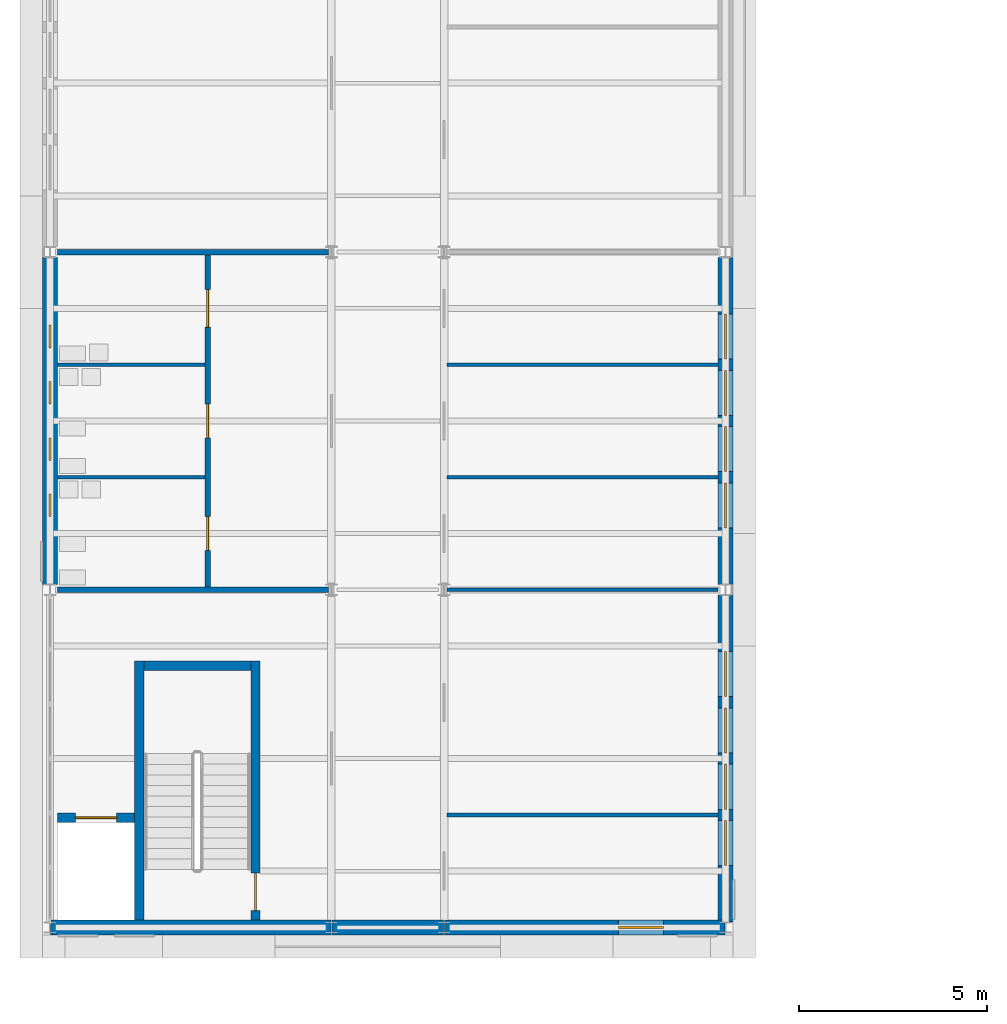
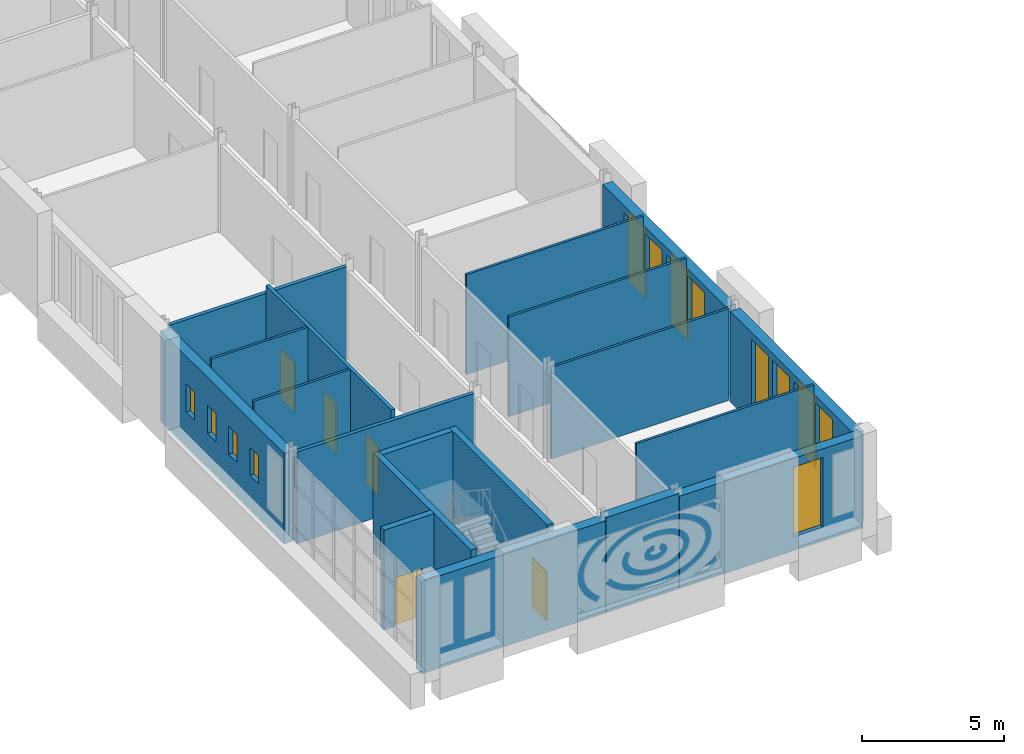
# One storey, part 71 of 131: 19 walls, 13 windows, 5 doors, 18 openings.
"""IFC4 building model written with IfcOpenShell, lengths in metres."""

import ifcopenshell
import ifcopenshell.guid

model = None  # the IFC model being written
_history = None  # IfcOwnerHistory: only IFC2X3 demands one
_inside = {}  # id of a spatial element -> (the spatial element, [elements in it])
_under = {}  # id of a project, library or spatial element -> (it, [spatial elements below it])
_declared = {}  # id of a project -> (the project, [libraries it declares])
_typed = {}  # id of a type object -> (the type object, [elements of that type])
_made_of = {}  # id of a material, layer set ... -> (it, [elements and type objects made of it])


def new_model(schema):
    """Start an empty IFC model of exactly this schema.

    Asked for "IFC4X3", IfcOpenShell would pick the latest addendum, in which some entities
    have other attributes; the version numbers below select the first issue.
    IFC2X3 requires an IfcOwnerHistory on every rooted entity: one is made here for all.
    """
    global model, _history
    if schema == "IFC4X3":
        model = ifcopenshell.file(schema_version=(4, 3, 0, 0))
    else:
        model = ifcopenshell.file(schema=schema)
    _inside.clear()
    _under.clear()
    _declared.clear()
    _typed.clear()
    _made_of.clear()
    _history = None
    if model.schema == "IFC2X3":
        org = make("IfcOrganization", Name="unknown")
        user = make(
            "IfcPersonAndOrganization",
            ThePerson=make("IfcPerson", FamilyName="unknown"),
            TheOrganization=org,
        )
        app = make(
            "IfcApplication",
            ApplicationDeveloper=org,
            Version="unknown",
            ApplicationFullName="unknown",
            ApplicationIdentifier="unknown",
        )
        _history = make(
            "IfcOwnerHistory",
            OwningUser=user,
            OwningApplication=app,
            ChangeAction="ADDED",
            CreationDate=0,
        )
    return model


def make(cls, **values):
    """One entity of the class cls with the attributes given. An attribute that is None is left unset."""
    return model.create_entity(
        cls, **{name: value for name, value in values.items() if value is not None}
    )


def rooted(cls, **values):
    """An entity with a GlobalId (a new one), such as an element, a storey or a relation."""
    return make(cls, GlobalId=ifcopenshell.guid.new(), OwnerHistory=_history, **values)


def si_unit(unit_type, name, prefix=None):
    """IfcSIUnit, for example si_unit("LENGTHUNIT", "METRE", prefix="MILLI")."""
    return make("IfcSIUnit", UnitType=unit_type, Prefix=prefix, Name=name)


def assignment(units):
    """IfcUnitAssignment: the units of a project."""
    return None if units is None else make("IfcUnitAssignment", Units=units)


def point(xyz):
    """IfcCartesianPoint."""
    return None if xyz is None else make("IfcCartesianPoint", Coordinates=xyz)


def direction(xyz):
    """IfcDirection."""
    return None if xyz is None else make("IfcDirection", DirectionRatios=xyz)


def frame(location, z_axis=None, x_axis=None):
    """IfcAxis2Placement3D, a coordinate frame: its origin and axes. An axis left out is left unset."""
    return make(
        "IfcAxis2Placement3D",
        Location=point(location),
        Axis=direction(z_axis),
        RefDirection=direction(x_axis),
    )


def frame_2d(location, x_axis=None):
    """IfcAxis2Placement2D, a coordinate frame in the plane: its origin and x axis."""
    return make(
        "IfcAxis2Placement2D", Location=point(location), RefDirection=direction(x_axis)
    )


def origin():
    """The frame at (0, 0, 0) with its axes left unset."""
    return frame((0.0, 0.0, 0.0))


def place(relative_to, where):
    """IfcLocalPlacement: puts the frame where relative to a parent placement (None: the world)."""
    return make(
        "IfcLocalPlacement", PlacementRelTo=relative_to, RelativePlacement=where
    )


def context(
    kind, dimensions, precision=None, world=None, true_north=None, identifier=None
):
    """IfcGeometricRepresentationContext, for example the 3D "Model" context."""
    return make(
        "IfcGeometricRepresentationContext",
        ContextIdentifier=identifier,
        ContextType=kind,
        CoordinateSpaceDimension=dimensions,
        Precision=precision,
        WorldCoordinateSystem=world,
        TrueNorth=true_north,
    )


def subcontext(parent, identifier, kind, view, scale=None):
    """IfcGeometricRepresentationSubContext, for example "Body" below "Model"."""
    return make(
        "IfcGeometricRepresentationSubContext",
        ContextIdentifier=identifier,
        ContextType=kind,
        ParentContext=parent,
        TargetScale=scale,
        TargetView=view,
    )


def project(units=None, contexts=None):
    """IfcProject with its units and contexts."""
    return rooted(
        "IfcProject",
        Name="project",
        RepresentationContexts=contexts,
        UnitsInContext=assignment(units),
    )


def spatial(cls, under=None, at=None, **own):
    """A site, building, storey or space (cls), placed at a placement, below another one or the project."""
    s = rooted(cls, ObjectPlacement=at, **own)
    if under is not None:
        _under.setdefault(under.id(), (under, []))[1].append(s)
    return s


def profile(cls, at=None, kind="AREA", **sizes):
    """A parametric profile (cls). Its sizes go by their IFC names, for example OverallWidth=200.0."""
    return make(cls, ProfileType=kind, Position=at, **sizes)


def rectangle(**sizes):
    """IfcRectangleProfileDef."""
    return profile("IfcRectangleProfileDef", **sizes)


def extrude(swept, where, along, depth):
    """IfcExtrudedAreaSolid: the profile swept, set in the frame where, extruded along a direction by depth."""
    return make(
        "IfcExtrudedAreaSolid",
        SweptArea=swept,
        Position=where,
        ExtrudedDirection=direction(along),
        Depth=depth,
    )


def shape(context_of_items, identifier, shape_type, items):
    """IfcShapeRepresentation: the items that make up one representation, for example the "Body"."""
    return make(
        "IfcShapeRepresentation",
        ContextOfItems=context_of_items,
        RepresentationIdentifier=identifier,
        RepresentationType=shape_type,
        Items=items,
    )


def material(Name=None, Category=None):
    """IfcMaterial."""
    return make("IfcMaterial", Name=Name, Category=Category)


def layer(
    of_material, thickness, ventilated=None, Name=None, Category=None, Priority=None
):
    """IfcMaterialLayer: one layer of a wall or slab, of a material (None: an air gap)."""
    return make(
        "IfcMaterialLayer",
        Material=of_material,
        LayerThickness=thickness,
        IsVentilated=ventilated,
        Name=Name,
        Category=Category,
        Priority=Priority,
    )


def layer_set(layers, Name=None):
    """IfcMaterialLayerSet."""
    return make("IfcMaterialLayerSet", MaterialLayers=layers, LayerSetName=Name)


def made_of(thing, what):
    """Note that an element or type object is made of a material, layer set ...; save() writes the relation."""
    if what is not None:
        _made_of.setdefault(what.id(), (what, []))[1].append(thing)
    return thing


def type_object(cls, material=None, **own):
    """A type object (cls), such as IfcWallType, which elements share."""
    return made_of(rooted(cls, **own), material)


def element(
    cls,
    number,
    at=None,
    inside=None,
    cuts=None,
    type_object=None,
    material=None,
    context=None,
    identifier="Body",
    shape_type=None,
    held_by="IfcProductDefinitionShape",
    body=None,
    shapes=None,
    **own,
):
    """One element of the class cls, such as IfcWall. Its Tag is "e" and its number.

    at: its placement. inside: the storey or other place that contains it. cuts: it is an
    opening in that element (IfcRelVoidsElement). A single representation is given by context,
    identifier, shape_type and body (its items); several are given by shapes. held_by: the class
    of the entity that holds the representations. save() writes the other relations.
    """
    e = rooted(cls, Tag="e%d" % number, ObjectPlacement=at, **own)
    if body is not None:
        shapes = [shape(context, identifier, shape_type, body)]
    if shapes is not None:
        e.Representation = make(held_by, Representations=shapes)
    if inside is not None:
        _inside.setdefault(inside.id(), (inside, []))[1].append(e)
    if cuts is not None:
        rooted(
            "IfcRelVoidsElement", RelatingBuildingElement=cuts, RelatedOpeningElement=e
        )
    if type_object is not None:
        _typed.setdefault(type_object.id(), (type_object, []))[1].append(e)
    return made_of(e, material)


def fill(opening, filler):
    """IfcRelFillsElement: the door or window that sits in an opening."""
    return rooted(
        "IfcRelFillsElement",
        RelatingOpeningElement=opening,
        RelatedBuildingElement=filler,
    )


def aggregate(whole, parts):
    """IfcRelAggregates: a whole, such as a stair, and the parts it consists of."""
    return rooted("IfcRelAggregates", RelatingObject=whole, RelatedObjects=parts)


def save(model, path):
    """Write the relations noted so far, then the file.

    IfcRelAggregates (storeys below a building ...), IfcRelContainedInSpatialStructure (elements
    in a storey), IfcRelDefinesByType, IfcRelAssociatesMaterial and IfcRelDeclares: one each for
    every whole, place, type object, material and project.
    """
    for whole, parts in _under.values():
        aggregate(whole, parts)
    for where, things in _inside.values():
        rooted(
            "IfcRelContainedInSpatialStructure",
            RelatedElements=things,
            RelatingStructure=where,
        )
    for kind, things in _typed.values():
        rooted("IfcRelDefinesByType", RelatedObjects=things, RelatingType=kind)
    for what, things in _made_of.values():
        rooted("IfcRelAssociatesMaterial", RelatedObjects=things, RelatingMaterial=what)
    for by, libraries in _declared.values():
        rooted("IfcRelDeclares", RelatingContext=by, RelatedDefinitions=libraries)
    model.write(path)


model = new_model("IFC4")

# Units and contexts
model_context = context("Model", 3, precision=1e-05, world=origin(), true_north=direction((0.0, 1.0)))
body_context = subcontext(model_context, "Body", "Model", "MODEL_VIEW")
ifc_project = project(units=[si_unit("LENGTHUNIT", "METRE"), si_unit("AREAUNIT", "SQUARE_METRE"), si_unit("VOLUMEUNIT", "CUBIC_METRE"), si_unit("PLANEANGLEUNIT", "RADIAN"), si_unit("MASSUNIT", "GRAM", prefix="KILO")], contexts=[model_context])

# Site, building, storey
site_placement = place(None, origin())
site = spatial("IfcSite", under=ifc_project, at=site_placement, CompositionType="ELEMENT")
building_placement = place(site_placement, origin())
building = spatial("IfcBuilding", under=site, at=building_placement, Name="Golden Quay Civic Hall", CompositionType="ELEMENT")
storey_placement = place(building_placement, frame((0.0, 0.0, 9.89990234375)))
storey = spatial("IfcBuildingStorey", under=building, at=storey_placement, Name="L02", CompositionType="ELEMENT", Elevation=9.89990234375)

# Wall
ifc_material_1 = material(Name="Concrete C40/50", Category="concrete")
ifc_layer_1 = layer(ifc_material_1, 0.25)
ifc_layer_set_1 = layer_set([ifc_layer_1], Name="Concrete core wall 250, Concrete C40/50")
wall_type_1 = type_object("IfcWallType", Name="Concrete core wall 250", PredefinedType="SHEAR", material=ifc_layer_set_1)
wall_1_placement = place(storey_placement, frame((2.375, -8.800048828125, 0.0), z_axis=(0.0, 0.0, 1.0), x_axis=(0.0, 1.0, 0.0)))
element("IfcWall", 1, at=wall_1_placement, inside=storey, type_object=wall_type_1, Name="Core wall WO-S-W1", PredefinedType="SHEAR", context=body_context, shape_type="SweptSolid", body=[
    extrude(rectangle(XDim=6.900146484375, YDim=0.25, at=frame_2d((3.4501953125, 0.0))), origin(), (0.0, 0.0, 1.0), 4.300048828125),
])

# Wall, opening, door
wall_2_placement = place(storey_placement, frame((5.47509765625, -8.800048828125, 0.0), z_axis=(0.0, 0.0, 1.0), x_axis=(0.0, 1.0, 0.0)))
wall_2 = element("IfcWall", 2, at=wall_2_placement, inside=storey, type_object=wall_type_1, Name="Core wall WO-S-W2", PredefinedType="SHEAR", context=body_context, shape_type="SweptSolid", body=[
    extrude(rectangle(XDim=6.900146484375, YDim=0.25, at=frame_2d((3.4501953125, 0.0))), origin(), (0.0, 0.0, 1.0), 4.300048828125),
])
opening_1_placement = place(wall_2_placement, frame((0.25, 0.0, 0.0)))
opening_1 = element("IfcOpeningElement", 3, at=opening_1_placement, cuts=wall_2, Name="Opening L02-D051", PredefinedType="OPENING", context=body_context, shape_type="SweptSolid", body=[
    extrude(rectangle(XDim=1.0, YDim=2.10009765625, at=frame_2d((0.5, 1.050048828125))), frame((0.0, 0.135009765625, 0.0), z_axis=(0.0, -1.0, 0.0), x_axis=(1.0, 0.0, 0.0)), (0.0, 0.0, 1.0), 0.27001953125),
])
ifc_material_2 = material(Name="Steel", Category="steel")
door_type_1 = type_object("IfcDoorType", Name="Steel fire door FD60 1000 x 2100", OperationType="SINGLE_SWING_LEFT", PredefinedType="DOOR", material=ifc_material_2)
door_1_placement = place(opening_1_placement, origin())
door_1 = element("IfcDoor", 4, at=door_1_placement, inside=storey, type_object=door_type_1, Name="Door L02-D051", OperationType="SINGLE_SWING_LEFT", OverallHeight=2.10009765625, OverallWidth=1.0, PredefinedType="DOOR", context=body_context, shape_type="SweptSolid", body=[
    extrude(rectangle(XDim=1.0, YDim=2.10009765625, at=frame_2d((0.5, 1.050048828125))), frame((0.0, 0.02490234375, 0.0), z_axis=(0.0, -1.0, 0.0), x_axis=(1.0, 0.0, 0.0)), (0.0, 0.0, 1.0), 0.050048828125),
])
fill(opening_1, door_1)

# Wall
wall_3_placement = place(storey_placement, frame((2.5, -2.02490234375, 0.0), z_axis=(0.0, 0.0, 1.0), x_axis=(1.0, 0.0, 0.0)))
element("IfcWall", 5, at=wall_3_placement, inside=storey, type_object=wall_type_1, Name="Core wall WO-S-W3", PredefinedType="SHEAR", context=body_context, shape_type="SweptSolid", body=[
    extrude(rectangle(XDim=2.85009765625, YDim=0.25, at=frame_2d((1.425048828125, 0.0))), origin(), (0.0, 0.0, 1.0), 4.300048828125),
])

# Wall, opening, door
wall_4_placement = place(storey_placement, frame((0.199951171875, -6.074951171875, 0.0), z_axis=(0.0, 0.0, 1.0), x_axis=(1.0, 0.0, 0.0)))
wall_4 = element("IfcWall", 6, at=wall_4_placement, inside=storey, type_object=wall_type_1, Name="Core wall WO-S-W4", PredefinedType="SHEAR", context=body_context, shape_type="SweptSolid", body=[
    extrude(rectangle(XDim=2.050048828125, YDim=0.25, at=frame_2d((1.02490234375, 0.0))), origin(), (0.0, 0.0, 1.0), 4.300048828125),
])
opening_2_placement = place(wall_4_placement, frame((0.47509765625, 0.0, 0.0)))
opening_2 = element("IfcOpeningElement", 7, at=opening_2_placement, cuts=wall_4, Name="Opening L02-D067", PredefinedType="OPENING", context=body_context, shape_type="SweptSolid", body=[
    extrude(rectangle(XDim=1.10009765625, YDim=2.10009765625, at=frame_2d((0.550048828125, 1.050048828125))), frame((0.0, 0.135009765625, 0.0), z_axis=(0.0, -1.0, 0.0), x_axis=(1.0, 0.0, 0.0)), (0.0, 0.0, 1.0), 0.27001953125),
])
ifc_material_3 = material(Name="Steel", Category="steel")
door_type_2 = type_object("IfcDoorType", Name="Lift landing door 1100 x 2100", OperationType="SLIDING_TO_LEFT", PredefinedType="DOOR", material=ifc_material_3)
door_2_placement = place(opening_2_placement, origin())
door_2 = element("IfcDoor", 8, at=door_2_placement, inside=storey, type_object=door_type_2, Name="Lift landing door L02-D067 WO-S", OperationType="SLIDING_TO_LEFT", OverallHeight=2.10009765625, OverallWidth=1.10009765625, PredefinedType="DOOR", context=body_context, shape_type="SweptSolid", body=[
    extrude(rectangle(XDim=1.10009765625, YDim=2.10009765625, at=frame_2d((0.550048828125, 1.050048828125))), frame((0.0, 0.02490234375, 0.0), z_axis=(0.0, -1.0, 0.0), x_axis=(1.0, 0.0, 0.0)), (0.0, 0.0, 1.0), 0.050048828125),
])
fill(opening_2, door_2)

# Walls
ifc_material_4 = material(Name="Plasterboard on steel studs", Category="steel")
ifc_layer_2 = layer(ifc_material_4, 0.10009765625)
ifc_layer_set_2 = layer_set([ifc_layer_2], Name="Partition 100 stud")
wall_type_2 = type_object("IfcWallType", Name="Partition 100 stud", PredefinedType="PARTITIONING", material=ifc_layer_set_2)
wall_5_placement = place(storey_placement, frame((10.574951171875, -6.0, 0.0), z_axis=(0.0, 0.0, 1.0), x_axis=(1.0, 0.0, 0.0)))
element("IfcWall", 9, at=wall_5_placement, inside=storey, type_object=wall_type_2, Name="Partition L02-008", PredefinedType="PARTITIONING", context=body_context, shape_type="SweptSolid", body=[
    extrude(rectangle(XDim=7.22509765625, YDim=0.10009765625, at=frame_2d((3.612548828125, 0.0))), origin(), (0.0, 0.0, 1.0), 4.300048828125),
])
wall_6_placement = place(storey_placement, frame((10.574951171875, 0.0, 0.0), z_axis=(0.0, 0.0, 1.0), x_axis=(1.0, 0.0, 0.0)))
element("IfcWall", 10, at=wall_6_placement, inside=storey, type_object=wall_type_2, Name="Partition L02-009", PredefinedType="PARTITIONING", context=body_context, shape_type="SweptSolid", body=[
    extrude(rectangle(XDim=7.22509765625, YDim=0.10009765625, at=frame_2d((3.612548828125, 0.0))), origin(), (0.0, 0.0, 1.0), 3.9501953125),
])
for number, where, z_axis, x_axis, name in (
    (11, (10.574951171875, 3.0, 0.0), (0.0, 0.0, 1.0), (1.0, 0.0, 0.0), "Partition L02-010"),
    (12, (10.574951171875, 6.0, 0.0), (0.0, 0.0, 1.0), (1.0, 0.0, 0.0), "Partition L02-011"),
):
    element("IfcWall", number, at=place(storey_placement, frame(where, z_axis=z_axis, x_axis=x_axis)), inside=storey, type_object=wall_type_2, Name=name, PredefinedType="PARTITIONING", context=body_context, shape_type="SweptSolid", body=[
        extrude(rectangle(XDim=7.22509765625, YDim=0.10009765625, at=frame_2d((3.612548828125, 0.0))), origin(), (0.0, 0.0, 1.0), 4.300048828125),
    ])
for number, where, z_axis, x_axis, name in (
    (13, (0.199951171875, 3.0, 0.0), (0.0, 0.0, 1.0), (1.0, 0.0, 0.0), "Partition L02-036"),
    (14, (0.199951171875, 6.0, 0.0), (0.0, 0.0, 1.0), (1.0, 0.0, 0.0), "Partition L02-037"),
):
    element("IfcWall", number, at=place(storey_placement, frame(where, z_axis=z_axis, x_axis=x_axis)), inside=storey, type_object=wall_type_2, Name=name, PredefinedType="PARTITIONING", context=body_context, shape_type="SweptSolid", body=[
        extrude(rectangle(XDim=3.925048828125, YDim=0.10009765625, at=frame_2d((1.96240234375, 0.0))), origin(), (0.0, 0.0, 1.0), 4.300048828125),
    ])
ifc_material_5 = material(Name="Plasterboard on steel studs", Category="steel")
ifc_layer_3 = layer(ifc_material_5, 0.14990234375)
ifc_layer_set_3 = layer_set([ifc_layer_3], Name="Partition 150 stud fire EI 60")
wall_type_3 = type_object("IfcWallType", Name="Partition 150 stud fire EI 60", PredefinedType="PARTITIONING", material=ifc_layer_set_3)
for number, where, z_axis, x_axis, name in (
    (15, (0.199951171875, 9.0, 0.0), (0.0, 0.0, 1.0), (1.0, 0.0, 0.0), "Partition L02-000"),
    (16, (0.199951171875, 0.0, 0.0), (0.0, 0.0, 1.0), (1.0, 0.0, 0.0), "Partition L02-025"),
):
    element("IfcWall", number, at=place(storey_placement, frame(where, z_axis=z_axis, x_axis=x_axis)), inside=storey, type_object=wall_type_3, Name=name, PredefinedType="PARTITIONING", context=body_context, shape_type="SweptSolid", body=[
        extrude(rectangle(XDim=7.22509765625, YDim=0.14990234375, at=frame_2d((3.612548828125, 0.0))), origin(), (0.0, 0.0, 1.0), 3.9501953125),
    ])

# Wall, openings, doors
wall_7_placement = place(storey_placement, frame((4.199951171875, 0.074951171875, 0.0), z_axis=(0.0, 0.0, 1.0), x_axis=(0.0, 1.0, 0.0)))
wall_7 = element("IfcWall", 17, at=wall_7_placement, inside=storey, type_object=wall_type_3, Name="Partition L02-035", PredefinedType="PARTITIONING", context=body_context, shape_type="SweptSolid", body=[
    extrude(rectangle(XDim=8.85009765625, YDim=0.14990234375, at=frame_2d((4.425048828125, 0.0))), origin(), (0.0, 0.0, 1.0), 4.300048828125),
])
opening_3_placement = place(wall_7_placement, frame((0.97509765625, 0.0, 0.0)))
opening_3 = element("IfcOpeningElement", 18, at=opening_3_placement, cuts=wall_7, Name="Opening L02-D048", PredefinedType="OPENING", context=body_context, shape_type="SweptSolid", body=[
    extrude(rectangle(XDim=0.89990234375, YDim=2.10009765625, at=frame_2d((0.449951171875, 1.050048828125))), frame((0.0, 0.0849609375, 0.0), z_axis=(0.0, -1.0, 0.0), x_axis=(1.0, 0.0, 0.0)), (0.0, 0.0, 1.0), 0.169921875),
])
opening_4_placement = place(wall_7_placement, frame((3.97509765625, 0.0, 0.0)))
opening_4 = element("IfcOpeningElement", 19, at=opening_4_placement, cuts=wall_7, Name="Opening L02-D049", PredefinedType="OPENING", context=body_context, shape_type="SweptSolid", body=[
    extrude(rectangle(XDim=0.89990234375, YDim=2.10009765625, at=frame_2d((0.449951171875, 1.050048828125))), frame((0.0, 0.0849609375, 0.0), z_axis=(0.0, -1.0, 0.0), x_axis=(1.0, 0.0, 0.0)), (0.0, 0.0, 1.0), 0.169921875),
])
opening_5_placement = place(wall_7_placement, frame((6.925048828125, 0.0, 0.0)))
opening_5 = element("IfcOpeningElement", 20, at=opening_5_placement, cuts=wall_7, Name="Opening L02-D050", PredefinedType="OPENING", context=body_context, shape_type="SweptSolid", body=[
    extrude(rectangle(XDim=1.0, YDim=2.10009765625, at=frame_2d((0.5, 1.050048828125))), frame((0.0, 0.0849609375, 0.0), z_axis=(0.0, -1.0, 0.0), x_axis=(1.0, 0.0, 0.0)), (0.0, 0.0, 1.0), 0.169921875),
])
ifc_material_6 = material(Name="Timber", Category="wood")
door_type_3 = type_object("IfcDoorType", Name="Timber door 1000 x 2100", OperationType="SINGLE_SWING_LEFT", PredefinedType="DOOR", material=ifc_material_6)
door_3_placement = place(opening_5_placement, origin())
door_3 = element("IfcDoor", 21, at=door_3_placement, inside=storey, type_object=door_type_3, Name="Door L02-D050", OperationType="SINGLE_SWING_LEFT", OverallHeight=2.10009765625, OverallWidth=1.0, PredefinedType="DOOR", context=body_context, shape_type="SweptSolid", body=[
    extrude(rectangle(XDim=1.0, YDim=2.10009765625, at=frame_2d((0.5, 1.050048828125))), frame((0.0, 0.02490234375, 0.0), z_axis=(0.0, -1.0, 0.0), x_axis=(1.0, 0.0, 0.0)), (0.0, 0.0, 1.0), 0.050048828125),
])
fill(opening_5, door_3)
ifc_material_7 = material(Name="Timber", Category="wood")
door_type_4 = type_object("IfcDoorType", Name="Timber door 900 x 2100", OperationType="SINGLE_SWING_LEFT", PredefinedType="DOOR", material=ifc_material_7)
door_4_placement = place(opening_3_placement, origin())
door_4 = element("IfcDoor", 22, at=door_4_placement, inside=storey, type_object=door_type_4, Name="Door L02-D048", OperationType="SINGLE_SWING_LEFT", OverallHeight=2.10009765625, OverallWidth=0.89990234375, PredefinedType="DOOR", context=body_context, shape_type="SweptSolid", body=[
    extrude(rectangle(XDim=0.89990234375, YDim=2.10009765625, at=frame_2d((0.449951171875, 1.050048828125))), frame((0.0, 0.02490234375, 0.0), z_axis=(0.0, -1.0, 0.0), x_axis=(1.0, 0.0, 0.0)), (0.0, 0.0, 1.0), 0.050048828125),
])
fill(opening_3, door_4)
door_5_placement = place(opening_4_placement, origin())
door_5 = element("IfcDoor", 23, at=door_5_placement, inside=storey, type_object=door_type_4, Name="Door L02-D049", OperationType="SINGLE_SWING_LEFT", OverallHeight=2.10009765625, OverallWidth=0.89990234375, PredefinedType="DOOR", context=body_context, shape_type="SweptSolid", body=[
    extrude(rectangle(XDim=0.89990234375, YDim=2.10009765625, at=frame_2d((0.449951171875, 1.050048828125))), frame((0.0, 0.02490234375, 0.0), z_axis=(0.0, -1.0, 0.0), x_axis=(1.0, 0.0, 0.0)), (0.0, 0.0, 1.0), 0.050048828125),
])
fill(opening_4, door_5)

# Wall, openings, windows
ifc_material_8 = material(Name="Clay block, rendered, cream")
ifc_layer_4 = layer(ifc_material_8, 0.39990234375)
ifc_layer_set_4 = layer_set([ifc_layer_4], Name="Rendered block external wall 400")
wall_type_4 = type_object("IfcWallType", Name="Rendered block external wall 400", PredefinedType="STANDARD", material=ifc_layer_set_4)
wall_8_placement = place(storey_placement, frame((0.0, 0.14501953125, 0.0), z_axis=(0.0, 0.0, 1.0), x_axis=(0.0, 1.0, 0.0)))
wall_8 = element("IfcWall", 24, at=wall_8_placement, inside=storey, type_object=wall_type_4, Name="Rendered block external wall 400 L02 1", PredefinedType="STANDARD", context=body_context, shape_type="SweptSolid", body=[
    extrude(rectangle(XDim=8.7099609375, YDim=0.39990234375, at=frame_2d((4.35498046875, 0.0))), origin(), (0.0, 0.0, 1.0), 3.900146484375),
])
opening_6_placement = place(wall_8_placement, frame((1.804931640625, 0.0, 1.5)))
opening_6 = element("IfcOpeningElement", 25, at=opening_6_placement, cuts=wall_8, Name="Opening WN1", PredefinedType="OPENING", context=body_context, shape_type="SweptSolid", body=[
    extrude(rectangle(XDim=0.60009765625, YDim=1.199951171875, at=frame_2d((0.300048828125, 0.60009765625))), frame((0.0, 0.2099609375, 0.0), z_axis=(0.0, -1.0, 0.0), x_axis=(1.0, 0.0, 0.0)), (0.0, 0.0, 1.0), 0.419921875),
])
opening_7_placement = place(wall_8_placement, frame((3.304931640625, 0.0, 1.5)))
opening_7 = element("IfcOpeningElement", 26, at=opening_7_placement, cuts=wall_8, Name="Opening WN1", PredefinedType="OPENING", context=body_context, shape_type="SweptSolid", body=[
    extrude(rectangle(XDim=0.60009765625, YDim=1.199951171875, at=frame_2d((0.300048828125, 0.60009765625))), frame((0.0, 0.2099609375, 0.0), z_axis=(0.0, -1.0, 0.0), x_axis=(1.0, 0.0, 0.0)), (0.0, 0.0, 1.0), 0.419921875),
])
opening_8_placement = place(wall_8_placement, frame((4.804931640625, 0.0, 1.5)))
opening_8 = element("IfcOpeningElement", 27, at=opening_8_placement, cuts=wall_8, Name="Opening WN1", PredefinedType="OPENING", context=body_context, shape_type="SweptSolid", body=[
    extrude(rectangle(XDim=0.60009765625, YDim=1.199951171875, at=frame_2d((0.300048828125, 0.60009765625))), frame((0.0, 0.2099609375, 0.0), z_axis=(0.0, -1.0, 0.0), x_axis=(1.0, 0.0, 0.0)), (0.0, 0.0, 1.0), 0.419921875),
])
opening_9_placement = place(wall_8_placement, frame((6.304931640625, 0.0, 1.5)))
opening_9 = element("IfcOpeningElement", 28, at=opening_9_placement, cuts=wall_8, Name="Opening WN1", PredefinedType="OPENING", context=body_context, shape_type="SweptSolid", body=[
    extrude(rectangle(XDim=0.60009765625, YDim=1.199951171875, at=frame_2d((0.300048828125, 0.60009765625))), frame((0.0, 0.2099609375, 0.0), z_axis=(0.0, -1.0, 0.0), x_axis=(1.0, 0.0, 0.0)), (0.0, 0.0, 1.0), 0.419921875),
])
ifc_material_9 = material(Name="Aluminium frame, double glazed", Category="aluminium")
window_type_1 = type_object("IfcWindowType", Name="WC window 600 x 1200", PartitioningType="SINGLE_PANEL", PredefinedType="WINDOW", material=ifc_material_9)
window_1_placement = place(opening_6_placement, origin())
window_1 = element("IfcWindow", 29, at=window_1_placement, inside=storey, type_object=window_type_1, Name="WC window 600 x 1200 L02 1", OverallHeight=1.199951171875, OverallWidth=0.60009765625, PartitioningType="SINGLE_PANEL", PredefinedType="WINDOW", context=body_context, shape_type="SweptSolid", body=[
    extrude(rectangle(XDim=0.60009765625, YDim=1.199951171875, at=frame_2d((0.300048828125, 0.60009765625))), frame((0.0, 0.030029296875, 0.0), z_axis=(0.0, -1.0, 0.0), x_axis=(1.0, 0.0, 0.0)), (0.0, 0.0, 1.0), 0.06005859375),
])
fill(opening_6, window_1)
window_2_placement = place(opening_7_placement, origin())
window_2 = element("IfcWindow", 30, at=window_2_placement, inside=storey, type_object=window_type_1, Name="WC window 600 x 1200 L02 2", OverallHeight=1.199951171875, OverallWidth=0.60009765625, PartitioningType="SINGLE_PANEL", PredefinedType="WINDOW", context=body_context, shape_type="SweptSolid", body=[
    extrude(rectangle(XDim=0.60009765625, YDim=1.199951171875, at=frame_2d((0.300048828125, 0.60009765625))), frame((0.0, 0.030029296875, 0.0), z_axis=(0.0, -1.0, 0.0), x_axis=(1.0, 0.0, 0.0)), (0.0, 0.0, 1.0), 0.06005859375),
])
fill(opening_7, window_2)
window_3_placement = place(opening_8_placement, origin())
window_3 = element("IfcWindow", 31, at=window_3_placement, inside=storey, type_object=window_type_1, Name="WC window 600 x 1200 L02 3", OverallHeight=1.199951171875, OverallWidth=0.60009765625, PartitioningType="SINGLE_PANEL", PredefinedType="WINDOW", context=body_context, shape_type="SweptSolid", body=[
    extrude(rectangle(XDim=0.60009765625, YDim=1.199951171875, at=frame_2d((0.300048828125, 0.60009765625))), frame((0.0, 0.030029296875, 0.0), z_axis=(0.0, -1.0, 0.0), x_axis=(1.0, 0.0, 0.0)), (0.0, 0.0, 1.0), 0.06005859375),
])
fill(opening_8, window_3)
window_4_placement = place(opening_9_placement, origin())
window_4 = element("IfcWindow", 32, at=window_4_placement, inside=storey, type_object=window_type_1, Name="WC window 600 x 1200 L02 4", OverallHeight=1.199951171875, OverallWidth=0.60009765625, PartitioningType="SINGLE_PANEL", PredefinedType="WINDOW", context=body_context, shape_type="SweptSolid", body=[
    extrude(rectangle(XDim=0.60009765625, YDim=1.199951171875, at=frame_2d((0.300048828125, 0.60009765625))), frame((0.0, 0.030029296875, 0.0), z_axis=(0.0, -1.0, 0.0), x_axis=(1.0, 0.0, 0.0)), (0.0, 0.0, 1.0), 0.06005859375),
])
fill(opening_9, window_4)

wall_9_placement = place(storey_placement, frame((18.0, -0.14501953125, 0.0), z_axis=(0.0, 0.0, 1.0), x_axis=(0.0, -1.0, 0.0)))
wall_9 = element("IfcWall", 33, at=wall_9_placement, inside=storey, type_object=wall_type_4, Name="Rendered block external wall 400 L02 12", PredefinedType="STANDARD", context=body_context, shape_type="SweptSolid", body=[
    extrude(rectangle(XDim=8.7099609375, YDim=0.39990234375, at=frame_2d((4.35498046875, 0.0))), origin(), (0.0, 0.0, 1.0), 3.900146484375),
])
opening_10_placement = place(wall_9_placement, frame((6.0048828125, 0.0, 0.60009765625)))
opening_10 = element("IfcOpeningElement", 34, at=opening_10_placement, cuts=wall_9, Name="Opening WN5", PredefinedType="OPENING", context=body_context, shape_type="SweptSolid", body=[
    extrude(rectangle(XDim=1.199951171875, YDim=3.0, at=frame_2d((0.60009765625, 1.5))), frame((0.0, 0.2099609375, 0.0), z_axis=(0.0, -1.0, 0.0), x_axis=(1.0, 0.0, 0.0)), (0.0, 0.0, 1.0), 0.419921875),
])
opening_11_placement = place(wall_9_placement, frame((4.5048828125, 0.0, 0.60009765625)))
opening_11 = element("IfcOpeningElement", 35, at=opening_11_placement, cuts=wall_9, Name="Opening WN5", PredefinedType="OPENING", context=body_context, shape_type="SweptSolid", body=[
    extrude(rectangle(XDim=1.199951171875, YDim=3.0, at=frame_2d((0.60009765625, 1.5))), frame((0.0, 0.2099609375, 0.0), z_axis=(0.0, -1.0, 0.0), x_axis=(1.0, 0.0, 0.0)), (0.0, 0.0, 1.0), 0.419921875),
])
opening_12_placement = place(wall_9_placement, frame((3.0048828125, 0.0, 0.60009765625)))
opening_12 = element("IfcOpeningElement", 36, at=opening_12_placement, cuts=wall_9, Name="Opening WN5", PredefinedType="OPENING", context=body_context, shape_type="SweptSolid", body=[
    extrude(rectangle(XDim=1.199951171875, YDim=3.0, at=frame_2d((0.60009765625, 1.5))), frame((0.0, 0.2099609375, 0.0), z_axis=(0.0, -1.0, 0.0), x_axis=(1.0, 0.0, 0.0)), (0.0, 0.0, 1.0), 0.419921875),
])
opening_13_placement = place(wall_9_placement, frame((1.5048828125, 0.0, 0.60009765625)))
opening_13 = element("IfcOpeningElement", 37, at=opening_13_placement, cuts=wall_9, Name="Opening WN5", PredefinedType="OPENING", context=body_context, shape_type="SweptSolid", body=[
    extrude(rectangle(XDim=1.199951171875, YDim=3.0, at=frame_2d((0.60009765625, 1.5))), frame((0.0, 0.2099609375, 0.0), z_axis=(0.0, -1.0, 0.0), x_axis=(1.0, 0.0, 0.0)), (0.0, 0.0, 1.0), 0.419921875),
])
ifc_material_10 = material(Name="Aluminium frame, double glazed", Category="aluminium")
window_type_2 = type_object("IfcWindowType", Name="Golden grid window 1200 x 3000", PartitioningType="SINGLE_PANEL", PredefinedType="WINDOW", material=ifc_material_10)
window_5_placement = place(opening_10_placement, origin())
window_5 = element("IfcWindow", 38, at=window_5_placement, inside=storey, type_object=window_type_2, Name="Golden grid window 1200 x 3000 L02 17", OverallHeight=3.0, OverallWidth=1.199951171875, PartitioningType="SINGLE_PANEL", PredefinedType="WINDOW", context=body_context, shape_type="SweptSolid", body=[
    extrude(rectangle(XDim=1.199951171875, YDim=3.0, at=frame_2d((0.60009765625, 1.5))), frame((0.0, 0.030029296875, 0.0), z_axis=(0.0, -1.0, 0.0), x_axis=(1.0, 0.0, 0.0)), (0.0, 0.0, 1.0), 0.06005859375),
])
fill(opening_10, window_5)
window_6_placement = place(opening_11_placement, origin())
window_6 = element("IfcWindow", 39, at=window_6_placement, inside=storey, type_object=window_type_2, Name="Golden grid window 1200 x 3000 L02 18", OverallHeight=3.0, OverallWidth=1.199951171875, PartitioningType="SINGLE_PANEL", PredefinedType="WINDOW", context=body_context, shape_type="SweptSolid", body=[
    extrude(rectangle(XDim=1.199951171875, YDim=3.0, at=frame_2d((0.60009765625, 1.5))), frame((0.0, 0.030029296875, 0.0), z_axis=(0.0, -1.0, 0.0), x_axis=(1.0, 0.0, 0.0)), (0.0, 0.0, 1.0), 0.06005859375),
])
fill(opening_11, window_6)
window_7_placement = place(opening_12_placement, origin())
window_7 = element("IfcWindow", 40, at=window_7_placement, inside=storey, type_object=window_type_2, Name="Golden grid window 1200 x 3000 L02 19", OverallHeight=3.0, OverallWidth=1.199951171875, PartitioningType="SINGLE_PANEL", PredefinedType="WINDOW", context=body_context, shape_type="SweptSolid", body=[
    extrude(rectangle(XDim=1.199951171875, YDim=3.0, at=frame_2d((0.60009765625, 1.5))), frame((0.0, 0.030029296875, 0.0), z_axis=(0.0, -1.0, 0.0), x_axis=(1.0, 0.0, 0.0)), (0.0, 0.0, 1.0), 0.06005859375),
])
fill(opening_12, window_7)
window_8_placement = place(opening_13_placement, origin())
window_8 = element("IfcWindow", 41, at=window_8_placement, inside=storey, type_object=window_type_2, Name="Golden grid window 1200 x 3000 L02 20", OverallHeight=3.0, OverallWidth=1.199951171875, PartitioningType="SINGLE_PANEL", PredefinedType="WINDOW", context=body_context, shape_type="SweptSolid", body=[
    extrude(rectangle(XDim=1.199951171875, YDim=3.0, at=frame_2d((0.60009765625, 1.5))), frame((0.0, 0.030029296875, 0.0), z_axis=(0.0, -1.0, 0.0), x_axis=(1.0, 0.0, 0.0)), (0.0, 0.0, 1.0), 0.06005859375),
])
fill(opening_13, window_8)

wall_10_placement = place(storey_placement, frame((18.0, 8.85498046875, 0.0), z_axis=(0.0, 0.0, 1.0), x_axis=(0.0, -1.0, 0.0)))
wall_10 = element("IfcWall", 42, at=wall_10_placement, inside=storey, type_object=wall_type_4, Name="Rendered block external wall 400 L02 13", PredefinedType="STANDARD", context=body_context, shape_type="SweptSolid", body=[
    extrude(rectangle(XDim=8.7099609375, YDim=0.39990234375, at=frame_2d((4.35498046875, 0.0))), origin(), (0.0, 0.0, 1.0), 3.900146484375),
])
opening_14_placement = place(wall_10_placement, frame((6.0048828125, 0.0, 0.60009765625)))
opening_14 = element("IfcOpeningElement", 43, at=opening_14_placement, cuts=wall_10, Name="Opening WN5", PredefinedType="OPENING", context=body_context, shape_type="SweptSolid", body=[
    extrude(rectangle(XDim=1.199951171875, YDim=3.0, at=frame_2d((0.60009765625, 1.5))), frame((0.0, 0.2099609375, 0.0), z_axis=(0.0, -1.0, 0.0), x_axis=(1.0, 0.0, 0.0)), (0.0, 0.0, 1.0), 0.419921875),
])
opening_15_placement = place(wall_10_placement, frame((4.5048828125, 0.0, 0.60009765625)))
opening_15 = element("IfcOpeningElement", 44, at=opening_15_placement, cuts=wall_10, Name="Opening WN5", PredefinedType="OPENING", context=body_context, shape_type="SweptSolid", body=[
    extrude(rectangle(XDim=1.199951171875, YDim=3.0, at=frame_2d((0.60009765625, 1.5))), frame((0.0, 0.2099609375, 0.0), z_axis=(0.0, -1.0, 0.0), x_axis=(1.0, 0.0, 0.0)), (0.0, 0.0, 1.0), 0.419921875),
])
opening_16_placement = place(wall_10_placement, frame((3.0048828125, 0.0, 0.60009765625)))
opening_16 = element("IfcOpeningElement", 45, at=opening_16_placement, cuts=wall_10, Name="Opening WN5", PredefinedType="OPENING", context=body_context, shape_type="SweptSolid", body=[
    extrude(rectangle(XDim=1.199951171875, YDim=3.0, at=frame_2d((0.60009765625, 1.5))), frame((0.0, 0.2099609375, 0.0), z_axis=(0.0, -1.0, 0.0), x_axis=(1.0, 0.0, 0.0)), (0.0, 0.0, 1.0), 0.419921875),
])
opening_17_placement = place(wall_10_placement, frame((1.5048828125, 0.0, 0.60009765625)))
opening_17 = element("IfcOpeningElement", 46, at=opening_17_placement, cuts=wall_10, Name="Opening WN5", PredefinedType="OPENING", context=body_context, shape_type="SweptSolid", body=[
    extrude(rectangle(XDim=1.199951171875, YDim=3.0, at=frame_2d((0.60009765625, 1.5))), frame((0.0, 0.2099609375, 0.0), z_axis=(0.0, -1.0, 0.0), x_axis=(1.0, 0.0, 0.0)), (0.0, 0.0, 1.0), 0.419921875),
])
window_9_placement = place(opening_14_placement, origin())
window_9 = element("IfcWindow", 47, at=window_9_placement, inside=storey, type_object=window_type_2, Name="Golden grid window 1200 x 3000 L02 21", OverallHeight=3.0, OverallWidth=1.199951171875, PartitioningType="SINGLE_PANEL", PredefinedType="WINDOW", context=body_context, shape_type="SweptSolid", body=[
    extrude(rectangle(XDim=1.199951171875, YDim=3.0, at=frame_2d((0.60009765625, 1.5))), frame((0.0, 0.030029296875, 0.0), z_axis=(0.0, -1.0, 0.0), x_axis=(1.0, 0.0, 0.0)), (0.0, 0.0, 1.0), 0.06005859375),
])
fill(opening_14, window_9)
window_10_placement = place(opening_15_placement, origin())
window_10 = element("IfcWindow", 48, at=window_10_placement, inside=storey, type_object=window_type_2, Name="Golden grid window 1200 x 3000 L02 22", OverallHeight=3.0, OverallWidth=1.199951171875, PartitioningType="SINGLE_PANEL", PredefinedType="WINDOW", context=body_context, shape_type="SweptSolid", body=[
    extrude(rectangle(XDim=1.199951171875, YDim=3.0, at=frame_2d((0.60009765625, 1.5))), frame((0.0, 0.030029296875, 0.0), z_axis=(0.0, -1.0, 0.0), x_axis=(1.0, 0.0, 0.0)), (0.0, 0.0, 1.0), 0.06005859375),
])
fill(opening_15, window_10)
window_11_placement = place(opening_16_placement, origin())
window_11 = element("IfcWindow", 49, at=window_11_placement, inside=storey, type_object=window_type_2, Name="Golden grid window 1200 x 3000 L02 23", OverallHeight=3.0, OverallWidth=1.199951171875, PartitioningType="SINGLE_PANEL", PredefinedType="WINDOW", context=body_context, shape_type="SweptSolid", body=[
    extrude(rectangle(XDim=1.199951171875, YDim=3.0, at=frame_2d((0.60009765625, 1.5))), frame((0.0, 0.030029296875, 0.0), z_axis=(0.0, -1.0, 0.0), x_axis=(1.0, 0.0, 0.0)), (0.0, 0.0, 1.0), 0.06005859375),
])
fill(opening_16, window_11)
window_12_placement = place(opening_17_placement, origin())
window_12 = element("IfcWindow", 50, at=window_12_placement, inside=storey, type_object=window_type_2, Name="Golden grid window 1200 x 3000 L02 24", OverallHeight=3.0, OverallWidth=1.199951171875, PartitioningType="SINGLE_PANEL", PredefinedType="WINDOW", context=body_context, shape_type="SweptSolid", body=[
    extrude(rectangle(XDim=1.199951171875, YDim=3.0, at=frame_2d((0.60009765625, 1.5))), frame((0.0, 0.030029296875, 0.0), z_axis=(0.0, -1.0, 0.0), x_axis=(1.0, 0.0, 0.0)), (0.0, 0.0, 1.0), 0.06005859375),
])
fill(opening_17, window_12)

# Wall
wall_11_placement = place(storey_placement, frame((10.49072265625, -9.0, 0.0), z_axis=(0.0, 0.0, 1.0), x_axis=(-1.0, 0.0, 0.0)))
element("IfcWall", 51, at=wall_11_placement, inside=storey, type_object=wall_type_4, Name="Rendered block external wall 400 L02 19", PredefinedType="STANDARD", context=body_context, shape_type="SweptSolid", body=[
    extrude(rectangle(XDim=2.9814453125, YDim=0.39990234375, at=frame_2d((1.49072265625, 0.0))), origin(), (0.0, 0.0, 1.0), 4.10009765625),
])

# Wall, opening, window
wall_12_placement = place(storey_placement, frame((17.99072265625, -9.0, 0.0), z_axis=(0.0, 0.0, 1.0), x_axis=(-1.0, 0.0, 0.0)))
wall_12 = element("IfcWall", 52, at=wall_12_placement, inside=storey, type_object=wall_type_4, Name="Rendered block external wall 400 L02 20", PredefinedType="STANDARD", context=body_context, shape_type="SweptSolid", body=[
    extrude(rectangle(XDim=7.4814453125, YDim=0.39990234375, at=frame_2d((3.74072265625, 0.0))), origin(), (0.0, 0.0, 1.0), 3.97021484375),
])
opening_18_placement = place(wall_12_placement, frame((1.640869140625, 0.0, 0.60009765625)))
opening_18 = element("IfcOpeningElement", 53, at=opening_18_placement, cuts=wall_12, Name="Opening WN5", PredefinedType="OPENING", context=body_context, shape_type="SweptSolid", body=[
    extrude(rectangle(XDim=1.199951171875, YDim=3.0, at=frame_2d((0.60009765625, 1.5))), frame((0.0, 0.2099609375, 0.0), z_axis=(0.0, -1.0, 0.0), x_axis=(1.0, 0.0, 0.0)), (0.0, 0.0, 1.0), 0.419921875),
])
window_13_placement = place(opening_18_placement, origin())
window_13 = element("IfcWindow", 54, at=window_13_placement, inside=storey, type_object=window_type_2, Name="Golden grid window 1200 x 3000 L02 37", OverallHeight=3.0, OverallWidth=1.199951171875, PartitioningType="SINGLE_PANEL", PredefinedType="WINDOW", context=body_context, shape_type="SweptSolid", body=[
    extrude(rectangle(XDim=1.199951171875, YDim=3.0, at=frame_2d((0.60009765625, 1.5))), frame((0.0, 0.030029296875, 0.0), z_axis=(0.0, -1.0, 0.0), x_axis=(1.0, 0.0, 0.0)), (0.0, 0.0, 1.0), 0.06005859375),
])
fill(opening_18, window_13)

# Wall
ifc_material_11 = material(Name="Clay block, rendered, cream")
ifc_layer_5 = layer(ifc_material_11, 0.39990234375)
ifc_layer_set_5 = layer_set([ifc_layer_5], Name="Rendered block external wall 400 fire EI 60")
wall_type_5 = type_object("IfcWallType", Name="Rendered block external wall 400 fire EI 60", PredefinedType="STANDARD", material=ifc_layer_set_5)
wall_13_placement = place(storey_placement, frame((7.49072265625, -9.0, 0.0), z_axis=(0.0, 0.0, 1.0), x_axis=(-1.0, 0.0, 0.0)))
element("IfcWall", 55, at=wall_13_placement, inside=storey, type_object=wall_type_5, Name="Rendered block external wall 400 fire EI 60 L02 3", PredefinedType="STANDARD", context=body_context, shape_type="SweptSolid", body=[
    extrude(rectangle(XDim=7.4814453125, YDim=0.39990234375, at=frame_2d((3.74072265625, 0.0))), origin(), (0.0, 0.0, 1.0), 3.97021484375),
])

save(model, "model.ifc")
